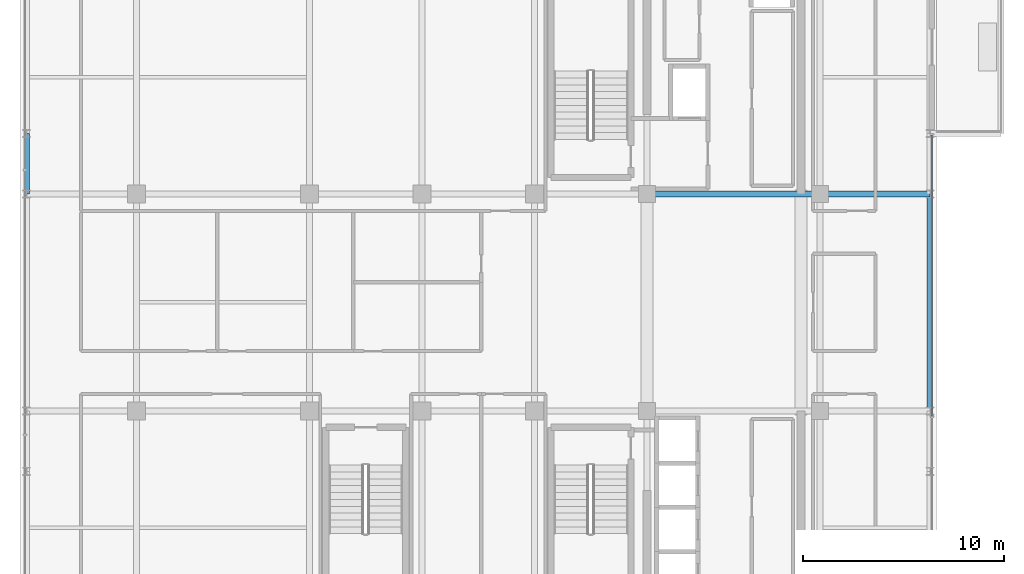
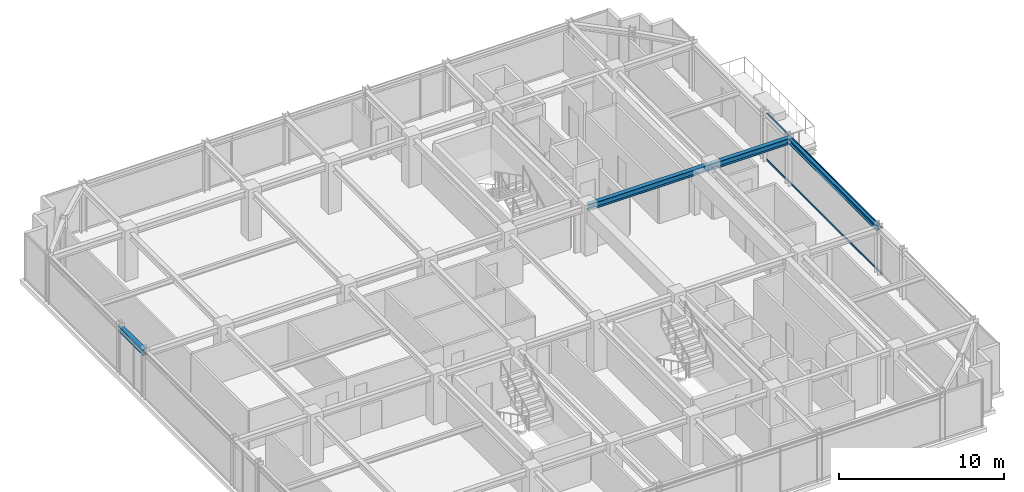
# One storey, part 14 of 32: 4 beams, 2 members, 1 element without a shape of its own.
"""IFC4 building model written with IfcOpenShell, lengths in metres."""

from ifc_helpers import new_model, si_unit, direction, frame, origin, origin_2d, place, context, subcontext, project, spatial, hollow_rectangle, i_section, extrude, source, transform, mapped, material, material_profile, profile_set, type_object, element, aggregate, save


model = new_model("IFC4")

# Units and contexts
model_context = context("Model", 3, precision=1e-05, world=origin(), true_north=direction((0.0, 1.0)))
body_context = subcontext(model_context, "Body", "Model", "MODEL_VIEW")
ifc_project = project(units=[si_unit("LENGTHUNIT", "METRE"), si_unit("AREAUNIT", "SQUARE_METRE"), si_unit("VOLUMEUNIT", "CUBIC_METRE"), si_unit("PLANEANGLEUNIT", "RADIAN"), si_unit("MASSUNIT", "GRAM", prefix="KILO")], contexts=[model_context])

# Site, building, storey
site_placement = place(None, origin())
site = spatial("IfcSite", under=ifc_project, at=site_placement, CompositionType="ELEMENT")
building_placement = place(site_placement, origin())
building = spatial("IfcBuilding", under=site, at=building_placement, Name="Nahalor Promenade Grand Hotel", CompositionType="ELEMENT")
storey_placement = place(building_placement, frame((0.0, 0.0, 330.949951171875)))
storey = spatial("IfcBuildingStorey", under=building, at=storey_placement, Name="L85", CompositionType="ELEMENT", Elevation=330.949951171875)

# Beams
ifc_material_1 = material(Name="Steel S355JR", Category="steel")
ifc_material_profile_1 = material_profile(ifc_material_1, i_section(OverallWidth=0.3, OverallDepth=0.45, WebThickness=0.014, FlangeThickness=0.026, at=origin_2d()), Name="HEB 450")
ifc_profile_set_1 = profile_set([ifc_material_profile_1], Name="Steel S355JR")
beam_type_1 = type_object("IfcBeamType", Name="Beam-Girder-HEB450", PredefinedType="BEAM", material=ifc_profile_set_1)
shared_shape_1 = source(origin(), body_context, "Body", "SweptSolid", [
    extrude(i_section(OverallWidth=0.3, OverallDepth=0.45, WebThickness=0.014, FlangeThickness=0.026, at=origin_2d()), origin(), (0.0, 0.0, 1.0), 8.60009765625),
])
beam_1_placement = place(storey_placement, frame((8.39990234375, 5.39990234375, 3.275146484375), z_axis=(1.0, 0.0, 0.0), x_axis=(0.0, 1.0, 0.0)))
element("IfcBeam", 1, at=beam_1_placement, inside=storey, type_object=beam_type_1, Name="BM-L85-GX-2-5", PredefinedType="BEAM", context=body_context, shape_type="MappedRepresentation", body=[
    mapped(shared_shape_1, transform((0.0, 0.0, 0.0), scale=1.0)),
])
shared_shape_2 = source(origin(), body_context, "Body", "SweptSolid", [
    extrude(i_section(OverallWidth=0.3, OverallDepth=0.45, WebThickness=0.014, FlangeThickness=0.026, at=origin_2d()), origin(), (0.0, 0.0, 1.0), 5.47998046875),
])
beam_2_placement = place(storey_placement, frame((17.0, 5.39990234375, 3.275146484375), z_axis=(1.0, 0.0, 0.0), x_axis=(0.0, 1.0, 0.0)))
element("IfcBeam", 2, at=beam_2_placement, inside=storey, type_object=beam_type_1, Name="BM-L85-GX-2-6", PredefinedType="BEAM", context=body_context, shape_type="MappedRepresentation", body=[
    mapped(shared_shape_2, transform((0.0, 0.0, 0.0), scale=1.0)),
])
ifc_material_profile_2 = material_profile(ifc_material_1, i_section(OverallWidth=0.3, OverallDepth=0.36, WebThickness=0.0125, FlangeThickness=0.0225, at=origin_2d()), Name="HEB 360")
ifc_profile_set_2 = profile_set([ifc_material_profile_2], Name="Steel S355JR")
beam_type_2 = type_object("IfcBeamType", Name="Beam-Spandrel-HEB360", PredefinedType="SPANDREL", material=ifc_profile_set_2)
shared_shape_3 = source(origin(), body_context, "Body", "SweptSolid", [
    extrude(i_section(OverallWidth=0.3, OverallDepth=0.36, WebThickness=0.0125, FlangeThickness=0.0225, at=origin_2d()), origin(), (0.0, 0.0, 1.0), 3.0),
])
beam_3_placement = place(storey_placement, frame((-22.47998046875, 5.39990234375, 3.320068359375), z_axis=(0.0, 1.0, 0.0), x_axis=(-1.0, 0.0, 0.0)))
element("IfcBeam", 3, at=beam_3_placement, inside=storey, type_object=beam_type_2, Name="BM-L85-SP-W-3", PredefinedType="SPANDREL", context=body_context, shape_type="MappedRepresentation", body=[
    mapped(shared_shape_3, transform((0.0, 0.0, 0.0), scale=1.0)),
])
shared_shape_4 = source(origin(), body_context, "Body", "SweptSolid", [
    extrude(i_section(OverallWidth=0.3, OverallDepth=0.36, WebThickness=0.0125, FlangeThickness=0.0225, at=origin_2d()), origin(), (0.0, 0.0, 1.0), 10.7998046875),
])
beam_4_placement = place(storey_placement, frame((22.47998046875, -5.39990234375, 3.320068359375), z_axis=(0.0, 1.0, 0.0), x_axis=(-1.0, 0.0, 0.0)))
element("IfcBeam", 4, at=beam_4_placement, inside=storey, type_object=beam_type_2, Name="BM-L85-SP-E-2", PredefinedType="SPANDREL", context=body_context, shape_type="MappedRepresentation", body=[
    mapped(shared_shape_4, transform((0.0, 0.0, 0.0), scale=1.0)),
])

# Curtain wall, members
ifc_material_2 = material(Name="Anodised Bronze Aluminium EN AW-6063 T6", Category="aluminium")
curtain_wall_type = type_object("IfcCurtainWallType", Name="CW2 Typical Hotel Flush Bronze Unitised Curtain Wall", PredefinedType="USERDEFINED", material=ifc_material_2)
curtain_wall_placement = place(storey_placement, origin())
curtain_wall = element("IfcCurtainWall", 5, at=curtain_wall_placement, inside=storey, type_object=curtain_wall_type, Name="L85 Curtain Wall CW-L85-E-1", ObjectType="UNITISED_CURTAIN_WALL", PredefinedType="USERDEFINED")
ifc_material_profile_3 = material_profile(ifc_material_2, hollow_rectangle(XDim=0.065, YDim=0.13, WallThickness=0.004, at=origin_2d()), Name="CWT 65x130x4")
ifc_profile_set_3 = profile_set([ifc_material_profile_3], Name="Anodised Bronze Aluminium EN AW-6063 T6")
member_type = type_object("IfcMemberType", Name="CWT2 Typical Bronze Transom 65x130", PredefinedType="USERDEFINED", material=ifc_profile_set_3)
shared_shape_5 = source(origin(), body_context, "Body", "SweptSolid", [
    extrude(hollow_rectangle(XDim=0.065, YDim=0.13, WallThickness=0.004, at=origin_2d()), origin(), (0.0, 0.0, 1.0), 13.982421875),
])
member_1_placement = place(storey_placement, frame((22.56005859375, -5.6474609375, 0.06494140625), z_axis=(0.0, 1.0, 0.0), x_axis=(-1.0, 0.0, 0.0)))
member_1 = element("IfcMember", 6, at=member_1_placement, type_object=member_type, Name="CW-L85-E-1 Transom 1-0", ObjectType="TRANSOM", PredefinedType="USERDEFINED", context=body_context, shape_type="MappedRepresentation", body=[
    mapped(shared_shape_5, transform((0.0, 0.0, 0.0), scale=1.0)),
])
member_2_placement = place(storey_placement, frame((22.56005859375, -5.6474609375, 3.43505859375), z_axis=(0.0, 1.0, 0.0), x_axis=(-1.0, 0.0, 0.0)))
member_2 = element("IfcMember", 7, at=member_2_placement, type_object=member_type, Name="CW-L85-E-1 Transom 1-1", ObjectType="TRANSOM", PredefinedType="USERDEFINED", context=body_context, shape_type="MappedRepresentation", body=[
    mapped(shared_shape_5, transform((0.0, 0.0, 0.0), scale=1.0)),
])
aggregate(curtain_wall, [member_1, member_2])

save(model, "model.ifc")
